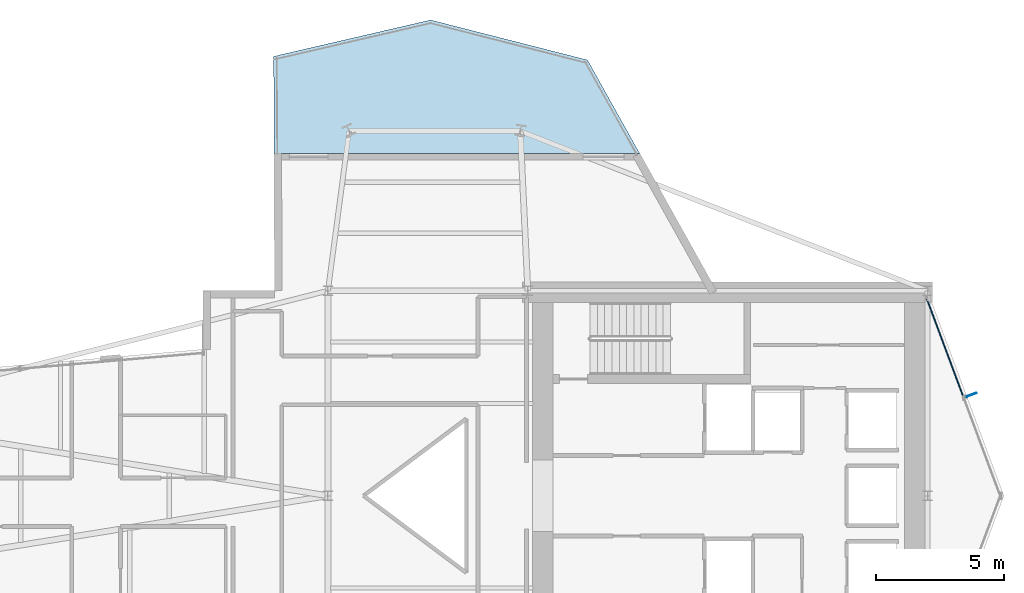
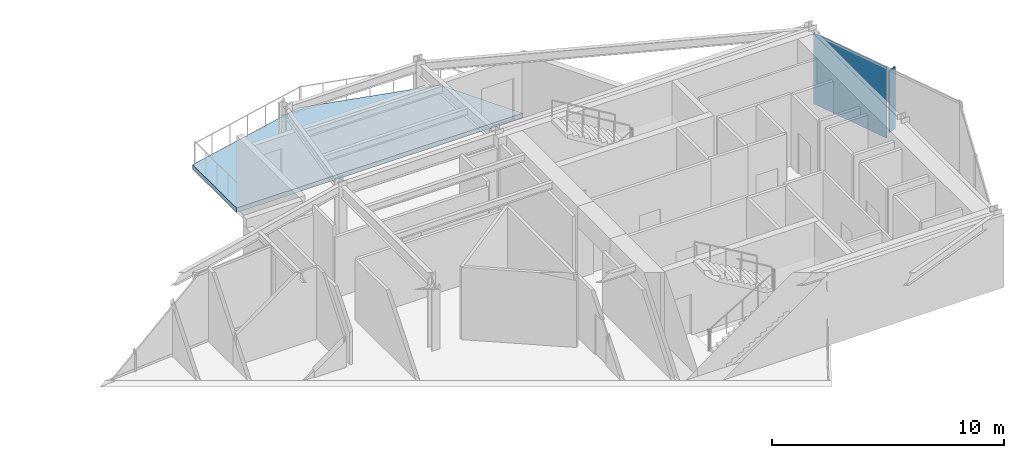
# One storey, part 18 of 23: 2 plates, 1 slab, 1 element without a shape of its own.
"""IFC4 building model written with IfcOpenShell, lengths in metres."""

from ifc_helpers import new_model, si_unit, direction, frame, origin, origin_2d, place, context, subcontext, project, spatial, polyline, rectangle, outline, extrude, material, layer, layer_set, type_object, element, aggregate, save


model = new_model("IFC4")

# Units and contexts
model_context = context("Model", 3, precision=1e-05, world=origin(), true_north=direction((0.0, 1.0)))
body_context = subcontext(model_context, "Body", "Model", "MODEL_VIEW")
ifc_project = project(units=[si_unit("LENGTHUNIT", "METRE"), si_unit("AREAUNIT", "SQUARE_METRE"), si_unit("VOLUMEUNIT", "CUBIC_METRE"), si_unit("PLANEANGLEUNIT", "RADIAN"), si_unit("MASSUNIT", "GRAM", prefix="KILO")], contexts=[model_context])

# Site, building, storey
site_placement = place(None, origin())
site = spatial("IfcSite", under=ifc_project, at=site_placement, CompositionType="ELEMENT")
building_placement = place(site_placement, origin())
building = spatial("IfcBuilding", under=site, at=building_placement, Name="Veymaron Broadcast Tower", CompositionType="ELEMENT")
storey_placement = place(building_placement, frame((0.0, 0.0, 161.39990234375)))
storey = spatial("IfcBuildingStorey", under=building, at=storey_placement, Name="L37", CompositionType="ELEMENT", Elevation=161.39990234375)

# Curtain wall, plate
ifc_material_1 = material(Name="Anodised aluminium AA 6063-T6 and laminated low-E dark glass", Category="aluminium")
ifc_layer_1 = layer(ifc_material_1, 0.179931640625)
ifc_layer_set_1 = layer_set([ifc_layer_1], Name="Anodised aluminium AA 6063-T6 and laminated low-E dark glass")
curtain_wall_type = type_object("IfcCurtainWallType", Name="CW-SYS-03", PredefinedType="NOTDEFINED", material=ifc_layer_set_1)
curtain_wall_placement = place(storey_placement, origin())
curtain_wall = element("IfcCurtainWall", 1, at=curtain_wall_placement, inside=storey, type_object=curtain_wall_type, Name="L37 dark-glass curtain wall CW-L37-E4-1", PredefinedType="NOTDEFINED")
ifc_material_2 = material(Name="Insulated dark-anodised aluminium spandrel panel 40 mm", Category="aluminium")
ifc_layer_2 = layer(ifc_material_2, 0.0400390625)
ifc_layer_set_2 = layer_set([ifc_layer_2], Name="Insulated dark-anodised aluminium spandrel panel 40 mm")
plate_type_1 = type_object("IfcPlateType", Name="CW-PNL-03", PredefinedType="CURTAIN_PANEL", material=ifc_layer_set_2)
plate_1_placement = place(storey_placement, frame((55.28466796875, 29.76220703125, 0.0400390625), z_axis=(0.0, 0.0, 1.0), x_axis=(-0.349275371331, 0.937020125174, 0.0)))
plate_1 = element("IfcPlate", 2, at=plate_1_placement, type_object=plate_type_1, Name="CW-L37-E4-1 unitised curtain panel 1", PredefinedType="CURTAIN_PANEL", context=body_context, shape_type="SweptSolid", body=[
    extrude(rectangle(XDim=4.074462890625, YDim=0.0400390625, at=origin_2d()), origin(), (0.0, 0.0, 1.0), 3.72998046875),
])
aggregate(curtain_wall, [plate_1])

# Plate
ifc_material_3 = material(Name="Dark-anodised aluminium AA 6061-T6", Category="aluminium")
ifc_layer_3 = layer(ifc_material_3, 0.031982421875)
ifc_layer_set_3 = layer_set([ifc_layer_3], Name="Dark-anodised aluminium AA 6061-T6")
plate_type_2 = type_object("IfcPlateType", Name="FIN-CHEV-03", PredefinedType="USERDEFINED", material=ifc_layer_set_3)
plate_2_placement = place(storey_placement, frame((56.31591796875, 27.9404296875, 0.2666015625), z_axis=(0.0, 0.0, 1.0), x_axis=(0.937020125174, 0.349275371331, 0.0)))
element("IfcPlate", 3, at=plate_2_placement, inside=storey, type_object=plate_type_2, Name="CW-L37-E4-1 chevron fin 1", ObjectType="FIN", PredefinedType="USERDEFINED", context=body_context, shape_type="SweptSolid", body=[
    extrude(rectangle(XDim=0.39990234375, YDim=0.034912109375, at=origin_2d()), origin(), (0.0, 0.0, 1.0), 3.276611328125),
])

# Slab
ifc_material_4 = material(Name="Concrete C40/50", Category="concrete")
ifc_layer_4 = layer(ifc_material_4, 0.239990234375)
ifc_layer_set_4 = layer_set([ifc_layer_4], Name="Concrete C40/50")
slab_type = type_object("IfcSlabType", Name="SLAB-TERR-250", PredefinedType="FLOOR", material=ifc_layer_set_4)
slab_placement = place(storey_placement, frame((0.0, 0.0, -0.239990234375)))
element("IfcSlab", 4, at=slab_placement, inside=storey, type_object=slab_type, Name="L37 outdoor sky terrace slab", PredefinedType="FLOOR", context=body_context, shape_type="SweptSolid", body=[
    extrude(outline(polyline([(29.099365234375, 37.365966796875), (43.35986328125, 37.365966796875), (41.330078125, 41.00390625), (35.2060546875, 42.56591796875), (29.081787109375, 41.14599609375), (29.099365234375, 37.365966796875)])), origin(), (0.0, 0.0, 1.0), 0.239990234375),
])

save(model, "model.ifc")
